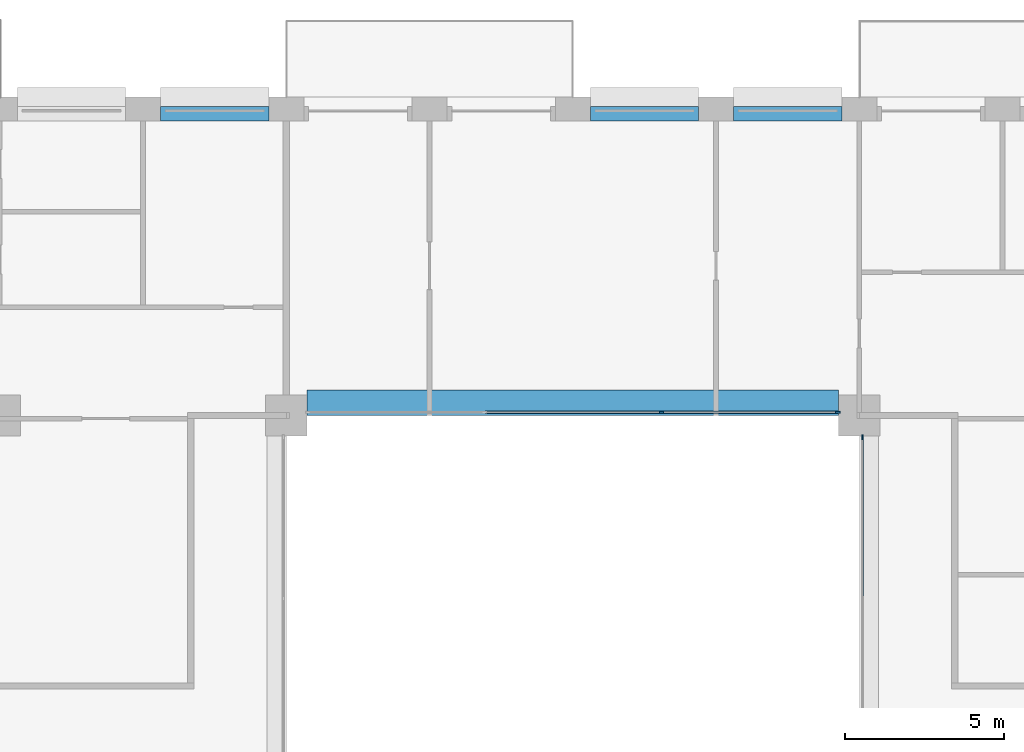
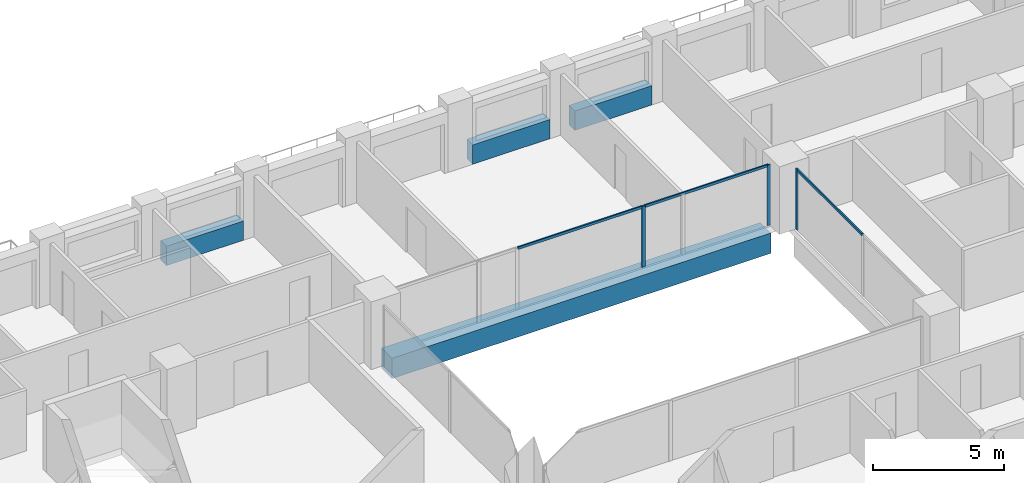
# One storey, part 6 of 16: 6 members, 4 beams, 2 elements without a shape of their own.
"""IFC4 building model written with IfcOpenShell, lengths in metres."""

from ifc_helpers import new_model, si_unit, direction, frame, origin, origin_2d, place, context, subcontext, project, spatial, rectangle, extrude, material, layer, layer_set, material_profile, profile_set, type_object, element, aggregate, save


model = new_model("IFC4")

# Units and contexts
model_context = context("Model", 3, precision=1e-05, world=origin(), true_north=direction((0.0, 1.0)))
body_context = subcontext(model_context, "Body", "Model", "MODEL_VIEW")
ifc_project = project(units=[si_unit("LENGTHUNIT", "METRE"), si_unit("AREAUNIT", "SQUARE_METRE"), si_unit("VOLUMEUNIT", "CUBIC_METRE"), si_unit("PLANEANGLEUNIT", "RADIAN"), si_unit("MASSUNIT", "GRAM", prefix="KILO")], contexts=[model_context])

# Site, building, storey
site_placement = place(None, origin())
site = spatial("IfcSite", under=ifc_project, at=site_placement, CompositionType="ELEMENT")
building_placement = place(site_placement, origin())
building = spatial("IfcBuilding", under=site, at=building_placement, Name="Brigalow Station Residences", CompositionType="ELEMENT")
storey_placement = place(building_placement, frame((0.0, 0.0, 99.300048828125)))
storey = spatial("IfcBuildingStorey", under=building, at=storey_placement, Name="L28", CompositionType="ELEMENT", Elevation=99.300048828125)

# Beam
ifc_material_1 = material(Name="Concrete C65", Category="concrete")
ifc_material_profile_1 = material_profile(ifc_material_1, rectangle(XDim=0.800048828125, YDim=0.949951171875, at=origin_2d()), Name="RC800x950")
ifc_profile_set_1 = profile_set([ifc_material_profile_1], Name="Concrete C65")
beam_type_1 = type_object("IfcBeamType", Name="ATRIUM EDGE GIRDER OVER 13.5 M SPAN 800x950 C65", PredefinedType="BEAM", material=ifc_profile_set_1)
beam_placement = place(storey_placement, frame((27.64990234375, 35.89990234375, -0.795166015625), z_axis=(1.0, 0.0, 0.0), x_axis=(0.0, 1.0, 0.0)))
element("IfcBeam", 1, at=beam_placement, inside=storey, type_object=beam_type_1, Name="ATRIUM EDGE GIRDER D L28", PredefinedType="BEAM", context=body_context, shape_type="SweptSolid", body=[
    extrude(rectangle(XDim=0.800048828125, YDim=0.949951171875, at=origin_2d()), origin(), (0.0, 0.0, 1.0), 16.7001953125),
])

# Curtain wall, member
ifc_material_2 = material(Name="Aluminium", Category="aluminium")
ifc_layer = layer(ifc_material_2, 0.14990234375)
ifc_layer_set = layer_set([ifc_layer], Name="ATRIUM FIRE-RATED GLAZING CURTAIN WALL")
curtain_wall_type = type_object("IfcCurtainWallType", Name="ATRIUM FIRE-RATED GLAZING CURTAIN WALL", PredefinedType="NOTDEFINED", material=ifc_layer_set)
curtain_wall_1_placement = place(storey_placement, origin())
curtain_wall_1 = element("IfcCurtainWall", 2, at=curtain_wall_1_placement, inside=storey, type_object=curtain_wall_type, Name="L28/cw/atrium-E", PredefinedType="NOTDEFINED")
ifc_material_3 = material(Name="Aluminium", Category="aluminium")
ifc_material_profile_2 = material_profile(ifc_material_3, rectangle(XDim=0.06005859375, YDim=0.14990234375, at=origin_2d()), Name="ATRIUM FIRE-RATED GLAZING MULLION 60x150")
ifc_profile_set_2 = profile_set([ifc_material_profile_2], Name="Aluminium")
member_type_1 = type_object("IfcMemberType", Name="ATRIUM FIRE-RATED GLAZING MULLION 60x150", PredefinedType="MULLION", material=ifc_profile_set_2)
member_1_placement = place(storey_placement, frame((45.10009765625, 34.820068359375, 0.0), z_axis=(0.0, 0.0, 1.0), x_axis=(-1.0, 0.0, 0.0)))
member_1 = element("IfcMember", 3, at=member_1_placement, type_object=member_type_1, Name="L28/cw/atrium-E/M02", PredefinedType="MULLION", context=body_context, shape_type="SweptSolid", body=[
    extrude(rectangle(XDim=0.06005859375, YDim=0.14990234375, at=origin_2d()), origin(), (0.0, 0.0, 1.0), 2.829833984375),
])

# Curtain wall, members
curtain_wall_2_placement = place(storey_placement, origin())
curtain_wall_2 = element("IfcCurtainWall", 4, at=curtain_wall_2_placement, inside=storey, type_object=curtain_wall_type, Name="L28/cw/atrium-N", PredefinedType="NOTDEFINED")
member_2_placement = place(storey_placement, frame((44.320068359375, 35.60009765625, 0.0), z_axis=(0.0, 0.0, 1.0), x_axis=(0.0, -1.0, 0.0)))
member_2 = element("IfcMember", 5, at=member_2_placement, type_object=member_type_1, Name="L28/cw/atrium-N/M00", PredefinedType="MULLION", context=body_context, shape_type="SweptSolid", body=[
    extrude(rectangle(XDim=0.06005859375, YDim=0.14990234375, at=origin_2d()), origin(), (0.0, 0.0, 1.0), 2.829833984375),
])
member_3_placement = place(storey_placement, frame((38.783203125, 35.60009765625, 0.0), z_axis=(0.0, 0.0, 1.0), x_axis=(0.0, -1.0, 0.0)))
member_3 = element("IfcMember", 6, at=member_3_placement, type_object=member_type_1, Name="L28/cw/atrium-N/M01", PredefinedType="MULLION", context=body_context, shape_type="SweptSolid", body=[
    extrude(rectangle(XDim=0.06005859375, YDim=0.14990234375, at=origin_2d()), origin(), (0.0, 0.0, 1.0), 2.829833984375),
])

# Member
ifc_material_4 = material(Name="Aluminium", Category="aluminium")
ifc_material_profile_3 = material_profile(ifc_material_4, rectangle(XDim=0.06005859375, YDim=0.1201171875, at=origin_2d()), Name="ATRIUM FIRE-RATED GLAZING TRANSOM 60x120")
ifc_profile_set_3 = profile_set([ifc_material_profile_3], Name="Aluminium")
member_type_2 = type_object("IfcMemberType", Name="ATRIUM FIRE-RATED GLAZING TRANSOM 60x120", PredefinedType="USERDEFINED", material=ifc_profile_set_3)
member_4_placement = place(storey_placement, frame((45.10009765625, 29.780029296875, 2.800048828125), z_axis=(0.0, 1.0, 0.0), x_axis=(-1.0, 0.0, 0.0)))
member_4 = element("IfcMember", 7, at=member_4_placement, type_object=member_type_2, Name="L28/cw/atrium-E/T01-00", ObjectType="TRANSOM", PredefinedType="USERDEFINED", context=body_context, shape_type="SweptSolid", body=[
    extrude(rectangle(XDim=0.06005859375, YDim=0.1201171875, at=origin_2d()), origin(), (0.0, 0.0, 1.0), 5.010009765625),
])

aggregate(curtain_wall_1, [member_1, member_4])

member_5_placement = place(storey_placement, frame((44.2900390625, 35.60009765625, 2.800048828125), z_axis=(-1.0, 0.0, 0.0), x_axis=(0.0, -1.0, 0.0)))
member_5 = element("IfcMember", 8, at=member_5_placement, type_object=member_type_2, Name="L28/cw/atrium-N/T00-00", ObjectType="TRANSOM", PredefinedType="USERDEFINED", context=body_context, shape_type="SweptSolid", body=[
    extrude(rectangle(XDim=0.06005859375, YDim=0.1201171875, at=origin_2d()), origin(), (0.0, 0.0, 1.0), 5.476806640625),
])

member_6_placement = place(storey_placement, frame((38.75341796875, 35.60009765625, 2.800048828125), z_axis=(-1.0, 0.0, 0.0), x_axis=(0.0, -1.0, 0.0)))
member_6 = element("IfcMember", 9, at=member_6_placement, type_object=member_type_2, Name="L28/cw/atrium-N/T01-00", ObjectType="TRANSOM", PredefinedType="USERDEFINED", context=body_context, shape_type="SweptSolid", body=[
    extrude(rectangle(XDim=0.06005859375, YDim=0.1201171875, at=origin_2d()), origin(), (0.0, 0.0, 1.0), 5.5068359375),
])

aggregate(curtain_wall_2, [member_2, member_3, member_5, member_6])

# Beams
ifc_material_5 = material(Name="Concrete C65", Category="concrete")
ifc_material_profile_4 = material_profile(ifc_material_5, rectangle(XDim=0.449951171875, YDim=0.89990234375, at=origin_2d()), Name="RC450x900")
ifc_profile_set_4 = profile_set([ifc_material_profile_4], Name="Concrete C65")
beam_type_2 = type_object("IfcBeamType", Name="SPANDREL BEAM 450x900 C65", PredefinedType="SPANDREL", material=ifc_profile_set_4)
for number, where, z_axis, x_axis, name in (
    (10, (44.449951171875, 44.97509765625, 0.449951171875), (-1.0, 0.0, 0.0), (0.0, -1.0, 0.0), "L28/spandrel/W-L28-29"),
    (11, (39.949951171875, 44.97509765625, 0.449951171875), (-1.0, 0.0, 0.0), (0.0, -1.0, 0.0), "L28/spandrel/W-L28-30"),
    (12, (26.449951171875, 44.97509765625, 0.449951171875), (-1.0, 0.0, 0.0), (0.0, -1.0, 0.0), "L28/spandrel/W-L28-33"),
):
    element("IfcBeam", number, at=place(storey_placement, frame(where, z_axis=z_axis, x_axis=x_axis)), inside=storey, type_object=beam_type_2, Name=name, PredefinedType="SPANDREL", context=body_context, shape_type="SweptSolid", body=[
        extrude(rectangle(XDim=0.449951171875, YDim=0.89990234375, at=origin_2d()), origin(), (0.0, 0.0, 1.0), 3.39990234375),
    ])

save(model, "model.ifc")
